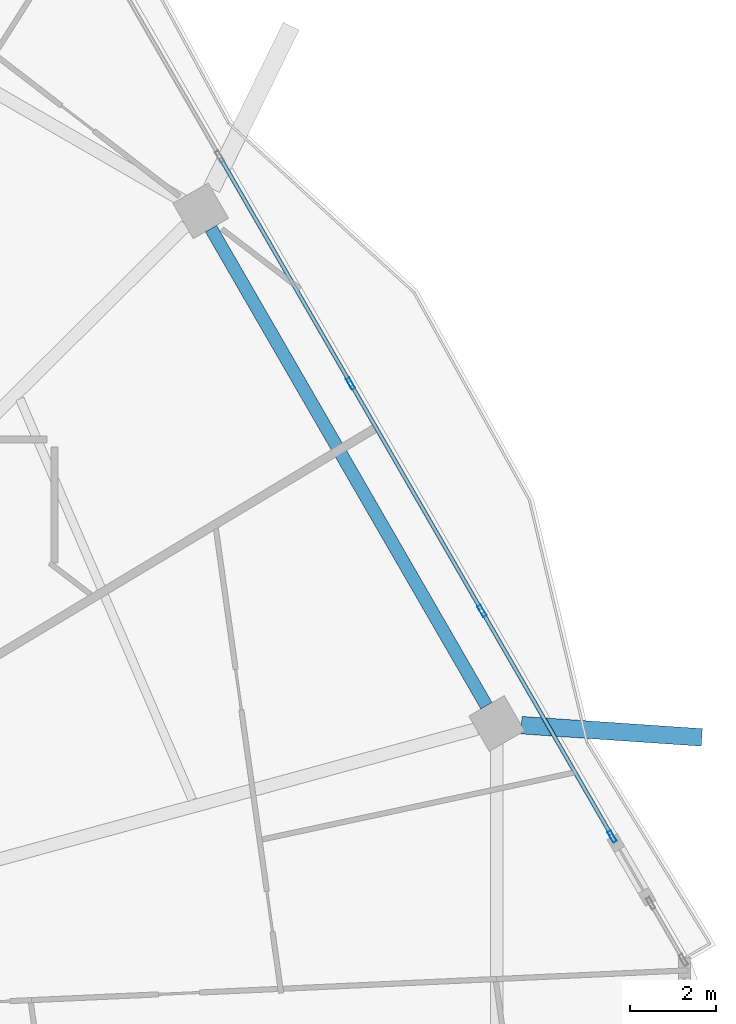
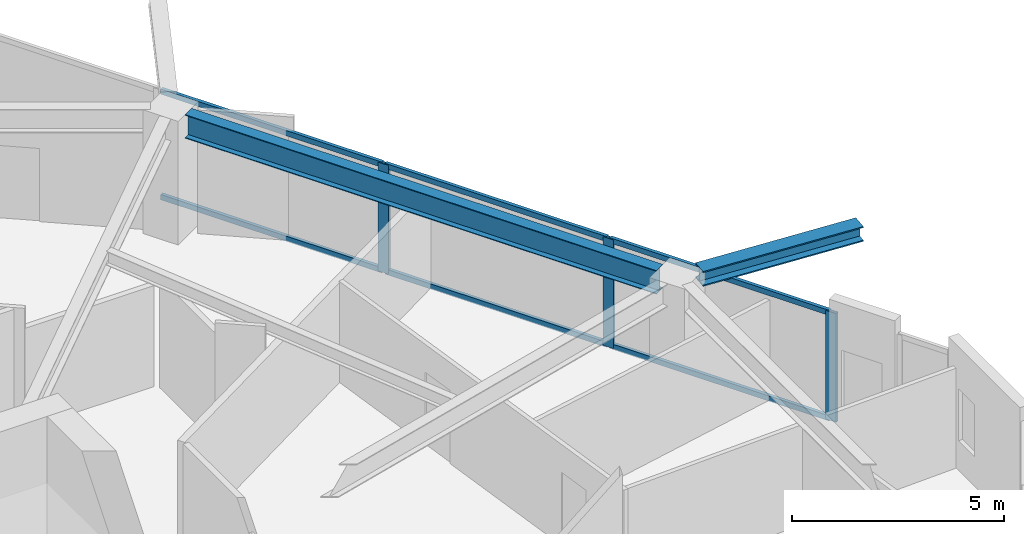
# One storey, part 15 of 26: 9 members, 2 beams, 1 element without a shape of its own.
"""IFC4 building model written with IfcOpenShell, lengths in metres."""

from ifc_helpers import new_model, si_unit, direction, frame, origin, origin_2d, place, context, subcontext, project, spatial, hollow_rectangle, i_section, extrude, material, material_profile, profile_set, type_object, element, aggregate, save


model = new_model("IFC4")

# Units and contexts
model_context = context("Model", 3, precision=1e-05, world=origin(), true_north=direction((0.0, 1.0)))
body_context = subcontext(model_context, "Body", "Model", "MODEL_VIEW")
ifc_project = project(units=[si_unit("LENGTHUNIT", "METRE"), si_unit("AREAUNIT", "SQUARE_METRE"), si_unit("VOLUMEUNIT", "CUBIC_METRE"), si_unit("PLANEANGLEUNIT", "RADIAN"), si_unit("MASSUNIT", "GRAM", prefix="KILO")], contexts=[model_context])

# Site, building, storey
site_placement = place(None, origin())
site = spatial("IfcSite", under=ifc_project, at=site_placement, CompositionType="ELEMENT")
building_placement = place(site_placement, origin())
building = spatial("IfcBuilding", under=site, at=building_placement, Name="Zuhravey Tower", CompositionType="ELEMENT")
storey_placement = place(building_placement, frame((0.0, 0.0, 203.60009765625)))
storey = spatial("IfcBuildingStorey", under=building, at=storey_placement, Name="L51", CompositionType="ELEMENT", Elevation=203.60009765625)

# Curtain wall, members
ifc_material_1 = material(Name="Thermally broken anodised aluminium", Category="aluminium")
curtain_wall_type = type_object("IfcCurtainWallType", Name="Zone 1-2 Residential Curtain Wall CW3", PredefinedType="NOTDEFINED", material=ifc_material_1)
curtain_wall_placement = place(storey_placement, origin())
curtain_wall = element("IfcCurtainWall", 1, at=curtain_wall_placement, inside=storey, type_object=curtain_wall_type, Name="L51 CW3 CW-L51-F1-1", PredefinedType="NOTDEFINED")
ifc_material_2 = material(Name="Anodised aluminium", Category="aluminium")
ifc_material_profile_1 = material_profile(ifc_material_2, hollow_rectangle(XDim=0.090087890625, YDim=0.284912109375, WallThickness=0.0048828125, at=origin_2d()), Name="ALU-RHS-90x285x5")
ifc_profile_set_1 = profile_set([ifc_material_profile_1], Name="Anodised aluminium")
member_type_1 = type_object("IfcMemberType", Name="Curtain-Wall Mullion 90x180", PredefinedType="MULLION", material=ifc_profile_set_1)
member_1_placement = place(storey_placement, frame((58.712646484375, 47.02685546875, 0.0), z_axis=(0.0, 0.0, 1.0), x_axis=(0.866024088187, 0.500002278674, 0.0)))
member_1 = element("IfcMember", 2, at=member_1_placement, type_object=member_type_1, Name="CW3 mullion 3", PredefinedType="MULLION", context=body_context, shape_type="SweptSolid", body=[
    extrude(hollow_rectangle(XDim=0.090087890625, YDim=0.284912109375, WallThickness=0.0048828125, at=origin_2d()), origin(), (0.0, 0.0, 1.0), 3.121826171875),
])
member_2_placement = place(storey_placement, frame((61.763427734375, 41.74267578125, 0.0), z_axis=(0.0, 0.0, 1.0), x_axis=(0.866024088187, 0.500002278674, 0.0)))
member_2 = element("IfcMember", 3, at=member_2_placement, type_object=member_type_1, Name="CW3 mullion 4", PredefinedType="MULLION", context=body_context, shape_type="SweptSolid", body=[
    extrude(hollow_rectangle(XDim=0.090087890625, YDim=0.284912109375, WallThickness=0.0048828125, at=origin_2d()), origin(), (0.0, 0.0, 1.0), 3.121826171875),
])
member_3_placement = place(storey_placement, frame((64.7919921875, 36.497314453125, 0.0), z_axis=(0.0, 0.0, 1.0), x_axis=(0.866024088187, 0.500002278674, 0.0)))
member_3 = element("IfcMember", 4, at=member_3_placement, type_object=member_type_1, Name="CW3 mullion 5", PredefinedType="MULLION", context=body_context, shape_type="SweptSolid", body=[
    extrude(hollow_rectangle(XDim=0.090087890625, YDim=0.284912109375, WallThickness=0.0048828125, at=origin_2d()), origin(), (0.0, 0.0, 1.0), 3.121826171875),
])
ifc_material_profile_2 = material_profile(ifc_material_2, hollow_rectangle(XDim=0.090087890625, YDim=0.14990234375, WallThickness=0.0048828125, at=origin_2d()), Name="ALU-RHS-90x150x5")
ifc_profile_set_2 = profile_set([ifc_material_profile_2], Name="Anodised aluminium")
member_type_2 = type_object("IfcMemberType", Name="Curtain-Wall Transom 90x150", PredefinedType="USERDEFINED", material=ifc_profile_set_2)
member_4_placement = place(storey_placement, frame((55.68408203125, 52.272216796875, 0.044921875), z_axis=(0.50000016781, -0.866025306899, 0.0), x_axis=(0.866025306899, 0.50000016781, 0.0)))
member_4 = element("IfcMember", 5, at=member_4_placement, type_object=member_type_2, Name="CW3 transom 2.1", ObjectType="TRANSOM", PredefinedType="USERDEFINED", context=body_context, shape_type="SweptSolid", body=[
    extrude(hollow_rectangle(XDim=0.090087890625, YDim=0.14990234375, WallThickness=0.0048828125, at=origin_2d()), origin(), (0.0, 0.0, 1.0), 6.01171875),
])
member_5_placement = place(storey_placement, frame((55.68408203125, 52.272216796875, 3.076904296875), z_axis=(0.50000016781, -0.866025306899, 0.0), x_axis=(0.866025306899, 0.50000016781, 0.0)))
member_5 = element("IfcMember", 6, at=member_5_placement, type_object=member_type_2, Name="CW3 transom 2.2", ObjectType="TRANSOM", PredefinedType="USERDEFINED", context=body_context, shape_type="SweptSolid", body=[
    extrude(hollow_rectangle(XDim=0.090087890625, YDim=0.14990234375, WallThickness=0.0048828125, at=origin_2d()), origin(), (0.0, 0.0, 1.0), 6.01171875),
])
member_6_placement = place(storey_placement, frame((58.735107421875, 46.988037109375, 0.044921875), z_axis=(0.499982583329, -0.866035459071, 0.0), x_axis=(0.866035459071, 0.499982583329, 0.0)))
member_6 = element("IfcMember", 7, at=member_6_placement, type_object=member_type_2, Name="CW3 transom 3.1", ObjectType="TRANSOM", PredefinedType="USERDEFINED", context=body_context, shape_type="SweptSolid", body=[
    extrude(hollow_rectangle(XDim=0.090087890625, YDim=0.14990234375, WallThickness=0.0048828125, at=origin_2d()), origin(), (0.0, 0.0, 1.0), 6.011962890625),
])
member_7_placement = place(storey_placement, frame((58.735107421875, 46.988037109375, 3.076904296875), z_axis=(0.499982583329, -0.866035459071, 0.0), x_axis=(0.866035459071, 0.499982583329, 0.0)))
member_7 = element("IfcMember", 8, at=member_7_placement, type_object=member_type_2, Name="CW3 transom 3.2", ObjectType="TRANSOM", PredefinedType="USERDEFINED", context=body_context, shape_type="SweptSolid", body=[
    extrude(hollow_rectangle(XDim=0.090087890625, YDim=0.14990234375, WallThickness=0.0048828125, at=origin_2d()), origin(), (0.0, 0.0, 1.0), 6.011962890625),
])
member_8_placement = place(storey_placement, frame((61.785888671875, 41.70361328125, 0.044921875), z_axis=(0.499993991539, -0.866028872743, 0.0), x_axis=(0.866028872743, 0.499993991539, 0.0)))
member_8 = element("IfcMember", 9, at=member_8_placement, type_object=member_type_2, Name="CW3 transom 4.1", ObjectType="TRANSOM", PredefinedType="USERDEFINED", context=body_context, shape_type="SweptSolid", body=[
    extrude(hollow_rectangle(XDim=0.090087890625, YDim=0.14990234375, WallThickness=0.0048828125, at=origin_2d()), origin(), (0.0, 0.0, 1.0), 5.966796875),
])
member_9_placement = place(storey_placement, frame((61.785888671875, 41.70361328125, 3.076904296875), z_axis=(0.499993991539, -0.866028872743, 0.0), x_axis=(0.866028872743, 0.499993991539, 0.0)))
member_9 = element("IfcMember", 10, at=member_9_placement, type_object=member_type_2, Name="CW3 transom 4.2", ObjectType="TRANSOM", PredefinedType="USERDEFINED", context=body_context, shape_type="SweptSolid", body=[
    extrude(hollow_rectangle(XDim=0.090087890625, YDim=0.14990234375, WallThickness=0.0048828125, at=origin_2d()), origin(), (0.0, 0.0, 1.0), 5.966796875),
])
aggregate(curtain_wall, [member_1, member_2, member_3, member_4, member_5, member_6, member_7, member_8, member_9])

# Beams
ifc_material_3 = material(Name="Steel SM460", Category="steel")
ifc_material_profile_3 = material_profile(ifc_material_3, i_section(OverallWidth=0.406982421875, OverallDepth=0.427978515625, WebThickness=0.02001953125, FlangeThickness=0.034912109375, at=origin_2d()), Name="H-428x407x20x35")
ifc_profile_set_3 = profile_set([ifc_material_profile_3], Name="Steel SM460")
beam_type_1 = type_object("IfcBeamType", Name="Exoskeleton Node Tie Beam H428x407", PredefinedType="BEAM", material=ifc_profile_set_3)
beam_1_placement = place(storey_placement, frame((62.682373046875, 39.08740234375, 3.3359375), z_axis=(0.997703718422, -0.067729537476, 0.0), x_axis=(0.067729537476, 0.997703718422, 0.0)))
element("IfcBeam", 11, at=beam_1_placement, inside=storey, type_object=beam_type_1, Name="L51 Exoskeleton Node Tie NT1-01", PredefinedType="BEAM", context=body_context, shape_type="SweptSolid", body=[
    extrude(i_section(OverallWidth=0.406982421875, OverallDepth=0.427978515625, WebThickness=0.02001953125, FlangeThickness=0.034912109375, at=origin_2d()), origin(), (0.0, 0.0, 1.0), 4.203125),
])
ifc_material_4 = material(Name="Steel SM355", Category="steel")
ifc_material_profile_4 = material_profile(ifc_material_4, i_section(OverallWidth=0.300048828125, OverallDepth=0.679931640625, WebThickness=0.012939453125, FlangeThickness=0.02197265625, at=origin_2d()), Name="H-680x300x13x22")
ifc_profile_set_4 = profile_set([ifc_material_profile_4], Name="Steel SM355")
beam_type_2 = type_object("IfcBeamType", Name="Perimeter Ring Beam H680x300", PredefinedType="BEAM", material=ifc_profile_set_4)
beam_2_placement = place(storey_placement, frame((61.86865234375, 39.54052734375, 3.2099609375), z_axis=(-0.500003505699, 0.866023379758, 0.0), x_axis=(-0.866023379758, -0.500003505699, 0.0)))
element("IfcBeam", 12, at=beam_2_placement, inside=storey, type_object=beam_type_2, Name="L51 PB2 BM-L51-PB-01", PredefinedType="BEAM", context=body_context, shape_type="SweptSolid", body=[
    extrude(i_section(OverallWidth=0.300048828125, OverallDepth=0.679931640625, WebThickness=0.012939453125, FlangeThickness=0.02197265625, at=origin_2d()), origin(), (0.0, 0.0, 1.0), 12.80810546875),
])

save(model, "model.ifc")
